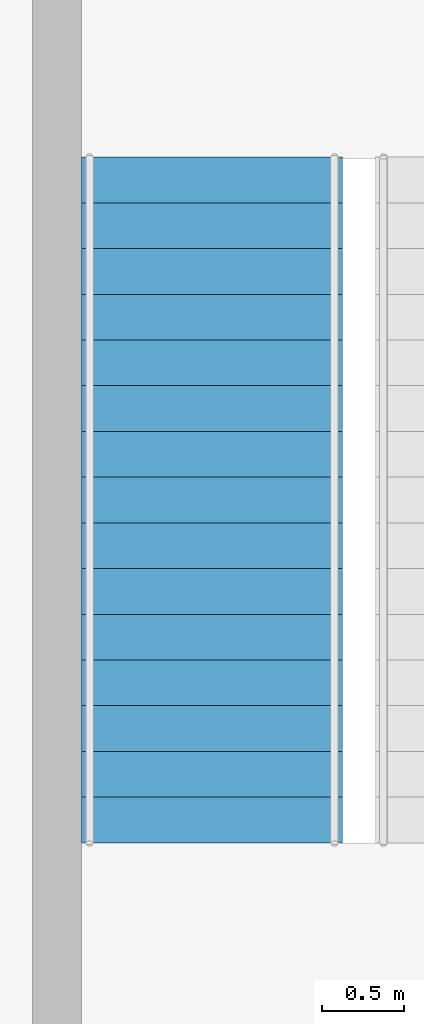
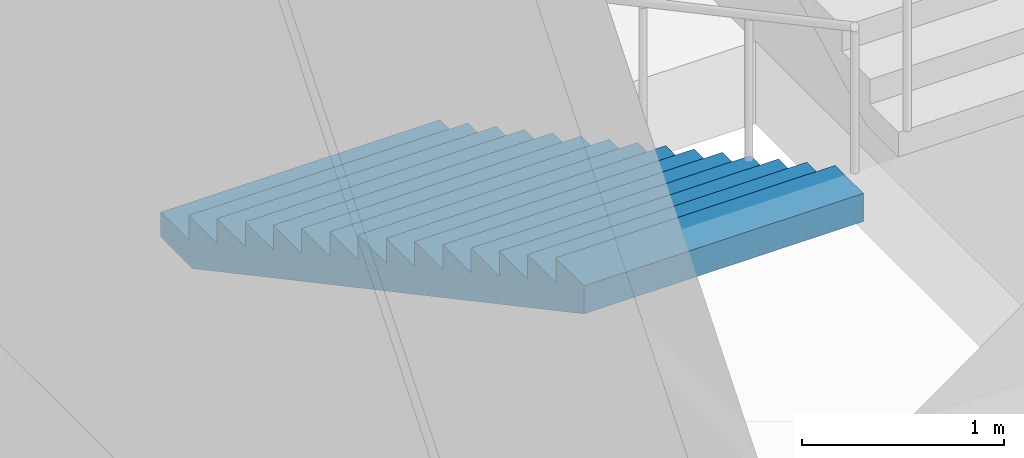
# One storey, part 43 of 53: 1 stair flight, 1 element without a shape of its own.
"""IFC4 building model written with IfcOpenShell, lengths in metres."""

from ifc_helpers import new_model, si_unit, direction, frame, origin, place, context, subcontext, project, spatial, triangles, material, type_object, element, aggregate, save


model = new_model("IFC4")

# Units and contexts
model_context = context("Model", 3, precision=1e-05, world=origin(), true_north=direction((0.0, 1.0)))
body_context = subcontext(model_context, "Body", "Model", "MODEL_VIEW")
ifc_project = project(units=[si_unit("LENGTHUNIT", "METRE"), si_unit("AREAUNIT", "SQUARE_METRE"), si_unit("VOLUMEUNIT", "CUBIC_METRE"), si_unit("PLANEANGLEUNIT", "RADIAN"), si_unit("MASSUNIT", "GRAM", prefix="KILO")], contexts=[model_context])

# Site, building, storey
site_placement = place(None, origin())
site = spatial("IfcSite", under=ifc_project, at=site_placement, CompositionType="ELEMENT")
building_placement = place(site_placement, origin())
building = spatial("IfcBuilding", under=site, at=building_placement, Name="Hakoniwa Tower and Hamabe Station Hall", CompositionType="ELEMENT")
storey_placement = place(building_placement, frame((0.0, 0.0, 15.0)))
storey = spatial("IfcBuildingStorey", under=building, at=storey_placement, Name="L03", CompositionType="ELEMENT", Elevation=15.0)

# Stair, stair flight
ifc_material_1 = material(Name="Concrete C40", Category="concrete")
stair_type = type_object("IfcStairType", Name="STAIR 1600 16X150", PredefinedType="HALF_TURN_STAIR", material=ifc_material_1)
stair_placement = place(storey_placement, origin())
stair = element("IfcStair", 1, at=stair_placement, inside=storey, type_object=stair_type, Name="Escape stair SS3 L03", PredefinedType="HALF_TURN_STAIR")
ifc_material_2 = material(Name="Concrete C40", Category="concrete")
stair_flight_type = type_object("IfcStairFlightType", Name="STAIR FLIGHT 1600", PredefinedType="STRAIGHT", material=ifc_material_2)
stair_flight_placement = place(storey_placement, frame((87.449951171875, -16.89990234375, 0.0), z_axis=(0.0, 0.0, 1.0), x_axis=(0.0, -1.0, 0.0)))
stair_flight = element("IfcStairFlight", 2, at=stair_flight_placement, type_object=stair_flight_type, Name="SS3 flight 1", NumberOfRisers=16, NumberOfTreads=15, PredefinedType="STRAIGHT", RiserHeight=0.15, TreadLength=0.28, context=body_context, shape_type="Tessellation", body=[
    triangles([(0.0, 0.800048828125, 0.0), (0.280029296875, 0.800048828125, 0.0), (0.3173828125, 0.800048828125, 0.0), (0.56005859375, 0.800048828125, 0.1298828125), (0.840087890625, 0.800048828125, 0.280029296875), (1.1201171875, 0.800048828125, 0.429931640625), (1.39990234375, 0.800048828125, 0.579833984375), (1.679931640625, 0.800048828125, 0.72998046875), (1.9599609375, 0.800048828125, 0.8798828125), (2.239990234375, 0.800048828125, 1.030029296875), (2.52001953125, 0.800048828125, 1.179931640625), (2.800048828125, 0.800048828125, 1.329833984375), (3.080078125, 0.800048828125, 1.47998046875), (3.360107421875, 0.800048828125, 1.6298828125), (3.639892578125, 0.800048828125, 1.780029296875), (3.919921875, 0.800048828125, 1.929931640625), (4.199951171875, 0.800048828125, 2.079833984375), (4.199951171875, 0.800048828125, 2.25), (3.919921875, 0.800048828125, 2.25), (3.919921875, 0.800048828125, 2.10009765625), (3.639892578125, 0.800048828125, 2.10009765625), (3.639892578125, 0.800048828125, 1.949951171875), (3.360107421875, 0.800048828125, 1.949951171875), (3.360107421875, 0.800048828125, 1.800048828125), (3.080078125, 0.800048828125, 1.800048828125), (3.080078125, 0.800048828125, 1.64990234375), (2.800048828125, 0.800048828125, 1.64990234375), (2.800048828125, 0.800048828125, 1.5), (2.52001953125, 0.800048828125, 1.5), (2.52001953125, 0.800048828125, 1.35009765625), (2.239990234375, 0.800048828125, 1.35009765625), (2.239990234375, 0.800048828125, 1.199951171875), (1.9599609375, 0.800048828125, 1.199951171875), (1.9599609375, 0.800048828125, 1.050048828125), (1.679931640625, 0.800048828125, 1.050048828125), (1.679931640625, 0.800048828125, 0.89990234375), (1.39990234375, 0.800048828125, 0.89990234375), (1.39990234375, 0.800048828125, 0.75), (1.1201171875, 0.800048828125, 0.75), (1.1201171875, 0.800048828125, 0.60009765625), (0.840087890625, 0.800048828125, 0.60009765625), (0.840087890625, 0.800048828125, 0.449951171875), (0.56005859375, 0.800048828125, 0.449951171875), (0.56005859375, 0.800048828125, 0.300048828125), (0.3173828125, 0.800048828125, 0.300048828125), (0.280029296875, 0.800048828125, 0.300048828125), (0.280029296875, 0.800048828125, 0.14990234375), (0.0, 0.800048828125, 0.14990234375), (0.0, 0.06005859375, 0.0), (0.280029296875, 0.06005859375, 0.0), (0.3173828125, 0.06005859375, 0.0), (0.56005859375, 0.06005859375, 0.1298828125), (0.840087890625, 0.06005859375, 0.280029296875), (1.1201171875, 0.06005859375, 0.429931640625), (1.39990234375, 0.06005859375, 0.579833984375), (1.679931640625, 0.06005859375, 0.72998046875), (1.9599609375, 0.06005859375, 0.8798828125), (2.239990234375, 0.06005859375, 1.030029296875), (2.52001953125, 0.06005859375, 1.179931640625), (2.800048828125, 0.06005859375, 1.329833984375), (3.080078125, 0.06005859375, 1.47998046875), (3.360107421875, 0.06005859375, 1.6298828125), (3.639892578125, 0.06005859375, 1.780029296875), (3.919921875, 0.06005859375, 1.929931640625), (4.199951171875, 0.06005859375, 2.079833984375), (4.199951171875, 0.06005859375, 2.25), (3.919921875, 0.06005859375, 2.25), (3.919921875, 0.06005859375, 2.10009765625), (3.639892578125, 0.06005859375, 2.10009765625), (3.639892578125, 0.06005859375, 1.949951171875), (3.360107421875, 0.06005859375, 1.949951171875), (3.360107421875, 0.06005859375, 1.800048828125), (3.080078125, 0.06005859375, 1.800048828125), (3.080078125, 0.06005859375, 1.64990234375), (2.800048828125, 0.06005859375, 1.64990234375), (2.800048828125, 0.06005859375, 1.5), (2.52001953125, 0.06005859375, 1.5), (2.52001953125, 0.06005859375, 1.35009765625), (2.239990234375, 0.06005859375, 1.35009765625), (2.239990234375, 0.06005859375, 1.199951171875), (1.9599609375, 0.06005859375, 1.199951171875), (1.9599609375, 0.06005859375, 1.050048828125), (1.679931640625, 0.06005859375, 1.050048828125), (1.679931640625, 0.06005859375, 0.89990234375), (1.39990234375, 0.06005859375, 0.89990234375), (1.39990234375, 0.06005859375, 0.75), (1.1201171875, 0.06005859375, 0.75), (1.1201171875, 0.06005859375, 0.60009765625), (0.840087890625, 0.06005859375, 0.60009765625), (0.840087890625, 0.06005859375, 0.449951171875), (0.56005859375, 0.06005859375, 0.449951171875), (0.56005859375, 0.06005859375, 0.300048828125), (0.3173828125, 0.06005859375, 0.300048828125), (0.280029296875, 0.06005859375, 0.300048828125), (0.280029296875, 0.06005859375, 0.14990234375), (0.0, 0.06005859375, 0.14990234375), (0.0, 0.02001953125, 0.0), (0.280029296875, 0.02001953125, 0.0), (0.3173828125, 0.02001953125, 0.0), (0.56005859375, 0.02001953125, 0.1298828125), (0.840087890625, 0.02001953125, 0.280029296875), (1.1201171875, 0.02001953125, 0.429931640625), (1.39990234375, 0.02001953125, 0.579833984375), (1.679931640625, 0.02001953125, 0.72998046875), (1.9599609375, 0.02001953125, 0.8798828125), (2.239990234375, 0.02001953125, 1.030029296875), (2.52001953125, 0.02001953125, 1.179931640625), (2.800048828125, 0.02001953125, 1.329833984375), (3.080078125, 0.02001953125, 1.47998046875), (3.360107421875, 0.02001953125, 1.6298828125), (3.639892578125, 0.02001953125, 1.780029296875), (3.919921875, 0.02001953125, 1.929931640625), (4.199951171875, 0.02001953125, 2.079833984375), (4.199951171875, 0.02001953125, 2.25), (3.919921875, 0.02001953125, 2.25), (3.919921875, 0.02001953125, 2.10009765625), (3.639892578125, 0.02001953125, 2.10009765625), (3.639892578125, 0.02001953125, 1.949951171875), (3.360107421875, 0.02001953125, 1.949951171875), (3.360107421875, 0.02001953125, 1.800048828125), (3.080078125, 0.02001953125, 1.800048828125), (3.080078125, 0.02001953125, 1.64990234375), (2.800048828125, 0.02001953125, 1.64990234375), (2.800048828125, 0.02001953125, 1.5), (2.52001953125, 0.02001953125, 1.5), (2.52001953125, 0.02001953125, 1.35009765625), (2.239990234375, 0.02001953125, 1.35009765625), (2.239990234375, 0.02001953125, 1.199951171875), (1.9599609375, 0.02001953125, 1.199951171875), (1.9599609375, 0.02001953125, 1.050048828125), (1.679931640625, 0.02001953125, 1.050048828125), (1.679931640625, 0.02001953125, 0.89990234375), (1.39990234375, 0.02001953125, 0.89990234375), (1.39990234375, 0.02001953125, 0.75), (1.1201171875, 0.02001953125, 0.75), (1.1201171875, 0.02001953125, 0.60009765625), (0.840087890625, 0.02001953125, 0.60009765625), (0.840087890625, 0.02001953125, 0.449951171875), (0.56005859375, 0.02001953125, 0.449951171875), (0.56005859375, 0.02001953125, 0.300048828125), (0.3173828125, 0.02001953125, 0.300048828125), (0.280029296875, 0.02001953125, 0.300048828125), (0.280029296875, 0.02001953125, 0.14990234375), (0.0, 0.02001953125, 0.14990234375), (0.0, -0.02001953125, 0.0), (0.280029296875, -0.02001953125, 0.0), (0.3173828125, -0.02001953125, 0.0), (0.56005859375, -0.02001953125, 0.1298828125), (0.840087890625, -0.02001953125, 0.280029296875), (1.1201171875, -0.02001953125, 0.429931640625), (1.39990234375, -0.02001953125, 0.579833984375), (1.679931640625, -0.02001953125, 0.72998046875), (1.9599609375, -0.02001953125, 0.8798828125), (2.239990234375, -0.02001953125, 1.030029296875), (2.52001953125, -0.02001953125, 1.179931640625), (2.800048828125, -0.02001953125, 1.329833984375), (3.080078125, -0.02001953125, 1.47998046875), (3.360107421875, -0.02001953125, 1.6298828125), (3.639892578125, -0.02001953125, 1.780029296875), (3.919921875, -0.02001953125, 1.929931640625), (4.199951171875, -0.02001953125, 2.079833984375), (4.199951171875, -0.02001953125, 2.25), (3.919921875, -0.02001953125, 2.25), (3.919921875, -0.02001953125, 2.10009765625), (3.639892578125, -0.02001953125, 2.10009765625), (3.639892578125, -0.02001953125, 1.949951171875), (3.360107421875, -0.02001953125, 1.949951171875), (3.360107421875, -0.02001953125, 1.800048828125), (3.080078125, -0.02001953125, 1.800048828125), (3.080078125, -0.02001953125, 1.64990234375), (2.800048828125, -0.02001953125, 1.64990234375), (2.800048828125, -0.02001953125, 1.5), (2.52001953125, -0.02001953125, 1.5), (2.52001953125, -0.02001953125, 1.35009765625), (2.239990234375, -0.02001953125, 1.35009765625), (2.239990234375, -0.02001953125, 1.199951171875), (1.9599609375, -0.02001953125, 1.199951171875), (1.9599609375, -0.02001953125, 1.050048828125), (1.679931640625, -0.02001953125, 1.050048828125), (1.679931640625, -0.02001953125, 0.89990234375), (1.39990234375, -0.02001953125, 0.89990234375), (1.39990234375, -0.02001953125, 0.75), (1.1201171875, -0.02001953125, 0.75), (1.1201171875, -0.02001953125, 0.60009765625), (0.840087890625, -0.02001953125, 0.60009765625), (0.840087890625, -0.02001953125, 0.449951171875), (0.56005859375, -0.02001953125, 0.449951171875), (0.56005859375, -0.02001953125, 0.300048828125), (0.3173828125, -0.02001953125, 0.300048828125), (0.280029296875, -0.02001953125, 0.300048828125), (0.280029296875, -0.02001953125, 0.14990234375), (0.0, -0.02001953125, 0.14990234375), (0.0, -0.06005859375, 0.0), (0.280029296875, -0.06005859375, 0.0), (0.3173828125, -0.06005859375, 0.0), (0.56005859375, -0.06005859375, 0.1298828125), (0.840087890625, -0.06005859375, 0.280029296875), (1.1201171875, -0.06005859375, 0.429931640625), (1.39990234375, -0.06005859375, 0.579833984375), (1.679931640625, -0.06005859375, 0.72998046875), (1.9599609375, -0.06005859375, 0.8798828125), (2.239990234375, -0.06005859375, 1.030029296875), (2.52001953125, -0.06005859375, 1.179931640625), (2.800048828125, -0.06005859375, 1.329833984375), (3.080078125, -0.06005859375, 1.47998046875), (3.360107421875, -0.06005859375, 1.6298828125), (3.639892578125, -0.06005859375, 1.780029296875), (3.919921875, -0.06005859375, 1.929931640625), (4.199951171875, -0.06005859375, 2.079833984375), (4.199951171875, -0.06005859375, 2.25), (3.919921875, -0.06005859375, 2.25), (3.919921875, -0.06005859375, 2.10009765625), (3.639892578125, -0.06005859375, 2.10009765625), (3.639892578125, -0.06005859375, 1.949951171875), (3.360107421875, -0.06005859375, 1.949951171875), (3.360107421875, -0.06005859375, 1.800048828125), (3.080078125, -0.06005859375, 1.800048828125), (3.080078125, -0.06005859375, 1.64990234375), (2.800048828125, -0.06005859375, 1.64990234375), (2.800048828125, -0.06005859375, 1.5), (2.52001953125, -0.06005859375, 1.5), (2.52001953125, -0.06005859375, 1.35009765625), (2.239990234375, -0.06005859375, 1.35009765625), (2.239990234375, -0.06005859375, 1.199951171875), (1.9599609375, -0.06005859375, 1.199951171875), (1.9599609375, -0.06005859375, 1.050048828125), (1.679931640625, -0.06005859375, 1.050048828125), (1.679931640625, -0.06005859375, 0.89990234375), (1.39990234375, -0.06005859375, 0.89990234375), (1.39990234375, -0.06005859375, 0.75), (1.1201171875, -0.06005859375, 0.75), (1.1201171875, -0.06005859375, 0.60009765625), (0.840087890625, -0.06005859375, 0.60009765625), (0.840087890625, -0.06005859375, 0.449951171875), (0.56005859375, -0.06005859375, 0.449951171875), (0.56005859375, -0.06005859375, 0.300048828125), (0.3173828125, -0.06005859375, 0.300048828125), (0.280029296875, -0.06005859375, 0.300048828125), (0.280029296875, -0.06005859375, 0.14990234375), (0.0, -0.06005859375, 0.14990234375), (0.0, -0.800048828125, 0.0), (0.280029296875, -0.800048828125, 0.0), (0.3173828125, -0.800048828125, 0.0), (0.56005859375, -0.800048828125, 0.1298828125), (0.840087890625, -0.800048828125, 0.280029296875), (1.1201171875, -0.800048828125, 0.429931640625), (1.39990234375, -0.800048828125, 0.579833984375), (1.679931640625, -0.800048828125, 0.72998046875), (1.9599609375, -0.800048828125, 0.8798828125), (2.239990234375, -0.800048828125, 1.030029296875), (2.52001953125, -0.800048828125, 1.179931640625), (2.800048828125, -0.800048828125, 1.329833984375), (3.080078125, -0.800048828125, 1.47998046875), (3.360107421875, -0.800048828125, 1.6298828125), (3.639892578125, -0.800048828125, 1.780029296875), (3.919921875, -0.800048828125, 1.929931640625), (4.199951171875, -0.800048828125, 2.079833984375), (4.199951171875, -0.800048828125, 2.25), (3.919921875, -0.800048828125, 2.25), (3.919921875, -0.800048828125, 2.10009765625), (3.639892578125, -0.800048828125, 2.10009765625), (3.639892578125, -0.800048828125, 1.949951171875), (3.360107421875, -0.800048828125, 1.949951171875), (3.360107421875, -0.800048828125, 1.800048828125), (3.080078125, -0.800048828125, 1.800048828125), (3.080078125, -0.800048828125, 1.64990234375), (2.800048828125, -0.800048828125, 1.64990234375), (2.800048828125, -0.800048828125, 1.5), (2.52001953125, -0.800048828125, 1.5), (2.52001953125, -0.800048828125, 1.35009765625), (2.239990234375, -0.800048828125, 1.35009765625), (2.239990234375, -0.800048828125, 1.199951171875), (1.9599609375, -0.800048828125, 1.199951171875), (1.9599609375, -0.800048828125, 1.050048828125), (1.679931640625, -0.800048828125, 1.050048828125), (1.679931640625, -0.800048828125, 0.89990234375), (1.39990234375, -0.800048828125, 0.89990234375), (1.39990234375, -0.800048828125, 0.75), (1.1201171875, -0.800048828125, 0.75), (1.1201171875, -0.800048828125, 0.60009765625), (0.840087890625, -0.800048828125, 0.60009765625), (0.840087890625, -0.800048828125, 0.449951171875), (0.56005859375, -0.800048828125, 0.449951171875), (0.56005859375, -0.800048828125, 0.300048828125), (0.3173828125, -0.800048828125, 0.300048828125), (0.280029296875, -0.800048828125, 0.300048828125), (0.280029296875, -0.800048828125, 0.14990234375), (0.0, -0.800048828125, 0.14990234375)], [[2, 48, 47], [242, 287, 288], [2, 1, 48], [242, 288, 241], [3, 46, 45], [243, 285, 286], [3, 47, 46], [243, 286, 287], [3, 2, 47], [243, 287, 242], [4, 45, 44], [244, 284, 285], [4, 3, 45], [244, 285, 243], [5, 43, 42], [245, 282, 283], [5, 44, 43], [245, 283, 284], [5, 4, 44], [245, 284, 244], [6, 41, 40], [246, 280, 281], [6, 42, 41], [246, 281, 282], [6, 5, 42], [246, 282, 245], [7, 39, 38], [247, 278, 279], [7, 40, 39], [247, 279, 280], [7, 6, 40], [247, 280, 246], [8, 37, 36], [248, 276, 277], [8, 38, 37], [248, 277, 278], [8, 7, 38], [248, 278, 247], [9, 35, 34], [249, 274, 275], [9, 36, 35], [249, 275, 276], [9, 8, 36], [249, 276, 248], [10, 33, 32], [250, 272, 273], [10, 34, 33], [250, 273, 274], [10, 9, 34], [250, 274, 249], [11, 31, 30], [251, 270, 271], [11, 32, 31], [251, 271, 272], [11, 10, 32], [251, 272, 250], [12, 29, 28], [252, 268, 269], [12, 30, 29], [252, 269, 270], [12, 11, 30], [252, 270, 251], [13, 27, 26], [253, 266, 267], [13, 28, 27], [253, 267, 268], [13, 12, 28], [253, 268, 252], [14, 25, 24], [254, 264, 265], [14, 26, 25], [254, 265, 266], [14, 13, 26], [254, 266, 253], [15, 23, 22], [255, 262, 263], [15, 24, 23], [255, 263, 264], [15, 14, 24], [255, 264, 254], [16, 21, 20], [256, 260, 261], [16, 22, 21], [256, 261, 262], [16, 15, 22], [256, 262, 255], [17, 19, 18], [257, 258, 259], [17, 20, 19], [257, 259, 260], [17, 16, 20], [257, 260, 256], [1, 2, 50], [1, 50, 49], [49, 50, 98], [49, 98, 97], [97, 98, 146], [97, 146, 145], [145, 146, 194], [145, 194, 193], [193, 194, 242], [193, 242, 241], [2, 3, 51], [2, 51, 50], [50, 51, 99], [50, 99, 98], [98, 99, 147], [98, 147, 146], [146, 147, 195], [146, 195, 194], [194, 195, 243], [194, 243, 242], [3, 4, 52], [3, 52, 51], [51, 52, 100], [51, 100, 99], [99, 100, 148], [99, 148, 147], [147, 148, 196], [147, 196, 195], [195, 196, 244], [195, 244, 243], [4, 5, 53], [4, 53, 52], [52, 53, 101], [52, 101, 100], [100, 101, 149], [100, 149, 148], [148, 149, 197], [148, 197, 196], [196, 197, 245], [196, 245, 244], [5, 6, 54], [5, 54, 53], [53, 54, 102], [53, 102, 101], [101, 102, 150], [101, 150, 149], [149, 150, 198], [149, 198, 197], [197, 198, 246], [197, 246, 245], [6, 7, 55], [6, 55, 54], [54, 55, 103], [54, 103, 102], [102, 103, 151], [102, 151, 150], [150, 151, 199], [150, 199, 198], [198, 199, 247], [198, 247, 246], [7, 8, 56], [7, 56, 55], [55, 56, 104], [55, 104, 103], [103, 104, 152], [103, 152, 151], [151, 152, 200], [151, 200, 199], [199, 200, 248], [199, 248, 247], [8, 9, 57], [8, 57, 56], [56, 57, 105], [56, 105, 104], [104, 105, 153], [104, 153, 152], [152, 153, 201], [152, 201, 200], [200, 201, 249], [200, 249, 248], [9, 10, 58], [9, 58, 57], [57, 58, 106], [57, 106, 105], [105, 106, 154], [105, 154, 153], [153, 154, 202], [153, 202, 201], [201, 202, 250], [201, 250, 249], [10, 11, 59], [10, 59, 58], [58, 59, 107], [58, 107, 106], [106, 107, 155], [106, 155, 154], [154, 155, 203], [154, 203, 202], [202, 203, 251], [202, 251, 250], [11, 12, 60], [11, 60, 59], [59, 60, 108], [59, 108, 107], [107, 108, 156], [107, 156, 155], [155, 156, 204], [155, 204, 203], [203, 204, 252], [203, 252, 251], [12, 13, 61], [12, 61, 60], [60, 61, 109], [60, 109, 108], [108, 109, 157], [108, 157, 156], [156, 157, 205], [156, 205, 204], [204, 205, 253], [204, 253, 252], [13, 14, 62], [13, 62, 61], [61, 62, 110], [61, 110, 109], [109, 110, 158], [109, 158, 157], [157, 158, 206], [157, 206, 205], [205, 206, 254], [205, 254, 253], [14, 15, 63], [14, 63, 62], [62, 63, 111], [62, 111, 110], [110, 111, 159], [110, 159, 158], [158, 159, 207], [158, 207, 206], [206, 207, 255], [206, 255, 254], [15, 16, 64], [15, 64, 63], [63, 64, 112], [63, 112, 111], [111, 112, 160], [111, 160, 159], [159, 160, 208], [159, 208, 207], [207, 208, 256], [207, 256, 255], [16, 17, 65], [16, 65, 64], [64, 65, 113], [64, 113, 112], [112, 113, 161], [112, 161, 160], [160, 161, 209], [160, 209, 208], [208, 209, 257], [208, 257, 256], [17, 18, 66], [17, 66, 65], [65, 66, 114], [65, 114, 113], [113, 114, 162], [113, 162, 161], [161, 162, 210], [161, 210, 209], [209, 210, 258], [209, 258, 257], [18, 19, 67], [18, 67, 66], [66, 67, 115], [66, 115, 114], [114, 115, 163], [114, 163, 162], [162, 163, 211], [162, 211, 210], [210, 211, 259], [210, 259, 258], [19, 20, 68], [19, 68, 67], [67, 68, 116], [67, 116, 115], [115, 116, 164], [115, 164, 163], [163, 164, 212], [163, 212, 211], [211, 212, 260], [211, 260, 259], [20, 21, 69], [20, 69, 68], [68, 69, 117], [68, 117, 116], [116, 117, 165], [116, 165, 164], [164, 165, 213], [164, 213, 212], [212, 213, 261], [212, 261, 260], [21, 22, 70], [21, 70, 69], [69, 70, 118], [69, 118, 117], [117, 118, 166], [117, 166, 165], [165, 166, 214], [165, 214, 213], [213, 214, 262], [213, 262, 261], [22, 23, 71], [22, 71, 70], [70, 71, 119], [70, 119, 118], [118, 119, 167], [118, 167, 166], [166, 167, 215], [166, 215, 214], [214, 215, 263], [214, 263, 262], [23, 24, 72], [23, 72, 71], [71, 72, 120], [71, 120, 119], [119, 120, 168], [119, 168, 167], [167, 168, 216], [167, 216, 215], [215, 216, 264], [215, 264, 263], [24, 25, 73], [24, 73, 72], [72, 73, 121], [72, 121, 120], [120, 121, 169], [120, 169, 168], [168, 169, 217], [168, 217, 216], [216, 217, 265], [216, 265, 264], [25, 26, 74], [25, 74, 73], [73, 74, 122], [73, 122, 121], [121, 122, 170], [121, 170, 169], [169, 170, 218], [169, 218, 217], [217, 218, 266], [217, 266, 265], [26, 27, 75], [26, 75, 74], [74, 75, 123], [74, 123, 122], [122, 123, 171], [122, 171, 170], [170, 171, 219], [170, 219, 218], [218, 219, 267], [218, 267, 266], [27, 28, 76], [27, 76, 75], [75, 76, 124], [75, 124, 123], [123, 124, 172], [123, 172, 171], [171, 172, 220], [171, 220, 219], [219, 220, 268], [219, 268, 267], [28, 29, 77], [28, 77, 76], [76, 77, 125], [76, 125, 124], [124, 125, 173], [124, 173, 172], [172, 173, 221], [172, 221, 220], [220, 221, 269], [220, 269, 268], [29, 30, 78], [29, 78, 77], [77, 78, 126], [77, 126, 125], [125, 126, 174], [125, 174, 173], [173, 174, 222], [173, 222, 221], [221, 222, 270], [221, 270, 269], [30, 31, 79], [30, 79, 78], [78, 79, 127], [78, 127, 126], [126, 127, 175], [126, 175, 174], [174, 175, 223], [174, 223, 222], [222, 223, 271], [222, 271, 270], [31, 32, 80], [31, 80, 79], [79, 80, 128], [79, 128, 127], [127, 128, 176], [127, 176, 175], [175, 176, 224], [175, 224, 223], [223, 224, 272], [223, 272, 271], [32, 33, 81], [32, 81, 80], [80, 81, 129], [80, 129, 128], [128, 129, 177], [128, 177, 176], [176, 177, 225], [176, 225, 224], [224, 225, 273], [224, 273, 272], [33, 34, 82], [33, 82, 81], [81, 82, 130], [81, 130, 129], [129, 130, 178], [129, 178, 177], [177, 178, 226], [177, 226, 225], [225, 226, 274], [225, 274, 273], [34, 35, 83], [34, 83, 82], [82, 83, 131], [82, 131, 130], [130, 131, 179], [130, 179, 178], [178, 179, 227], [178, 227, 226], [226, 227, 275], [226, 275, 274], [35, 36, 84], [35, 84, 83], [83, 84, 132], [83, 132, 131], [131, 132, 180], [131, 180, 179], [179, 180, 228], [179, 228, 227], [227, 228, 276], [227, 276, 275], [36, 37, 85], [36, 85, 84], [84, 85, 133], [84, 133, 132], [132, 133, 181], [132, 181, 180], [180, 181, 229], [180, 229, 228], [228, 229, 277], [228, 277, 276], [37, 38, 86], [37, 86, 85], [85, 86, 134], [85, 134, 133], [133, 134, 182], [133, 182, 181], [181, 182, 230], [181, 230, 229], [229, 230, 278], [229, 278, 277], [38, 39, 87], [38, 87, 86], [86, 87, 135], [86, 135, 134], [134, 135, 183], [134, 183, 182], [182, 183, 231], [182, 231, 230], [230, 231, 279], [230, 279, 278], [39, 40, 88], [39, 88, 87], [87, 88, 136], [87, 136, 135], [135, 136, 184], [135, 184, 183], [183, 184, 232], [183, 232, 231], [231, 232, 280], [231, 280, 279], [40, 41, 89], [40, 89, 88], [88, 89, 137], [88, 137, 136], [136, 137, 185], [136, 185, 184], [184, 185, 233], [184, 233, 232], [232, 233, 281], [232, 281, 280], [41, 42, 90], [41, 90, 89], [89, 90, 138], [89, 138, 137], [137, 138, 186], [137, 186, 185], [185, 186, 234], [185, 234, 233], [233, 234, 282], [233, 282, 281], [42, 43, 91], [42, 91, 90], [90, 91, 139], [90, 139, 138], [138, 139, 187], [138, 187, 186], [186, 187, 235], [186, 235, 234], [234, 235, 283], [234, 283, 282], [43, 44, 92], [43, 92, 91], [91, 92, 140], [91, 140, 139], [139, 140, 188], [139, 188, 187], [187, 188, 236], [187, 236, 235], [235, 236, 284], [235, 284, 283], [44, 45, 93], [44, 93, 92], [92, 93, 141], [92, 141, 140], [140, 141, 189], [140, 189, 188], [188, 189, 237], [188, 237, 236], [236, 237, 285], [236, 285, 284], [45, 46, 94], [45, 94, 93], [93, 94, 142], [93, 142, 141], [141, 142, 190], [141, 190, 189], [189, 190, 238], [189, 238, 237], [237, 238, 286], [237, 286, 285], [46, 47, 95], [46, 95, 94], [94, 95, 143], [94, 143, 142], [142, 143, 191], [142, 191, 190], [190, 191, 239], [190, 239, 238], [238, 239, 287], [238, 287, 286], [47, 48, 96], [47, 96, 95], [95, 96, 144], [95, 144, 143], [143, 144, 192], [143, 192, 191], [191, 192, 240], [191, 240, 239], [239, 240, 288], [239, 288, 287], [48, 1, 49], [48, 49, 96], [96, 49, 97], [96, 97, 144], [144, 97, 145], [144, 145, 192], [192, 145, 193], [192, 193, 240], [240, 193, 241], [240, 241, 288]], closed=True),
])
aggregate(stair, [stair_flight])

save(model, "model.ifc")
